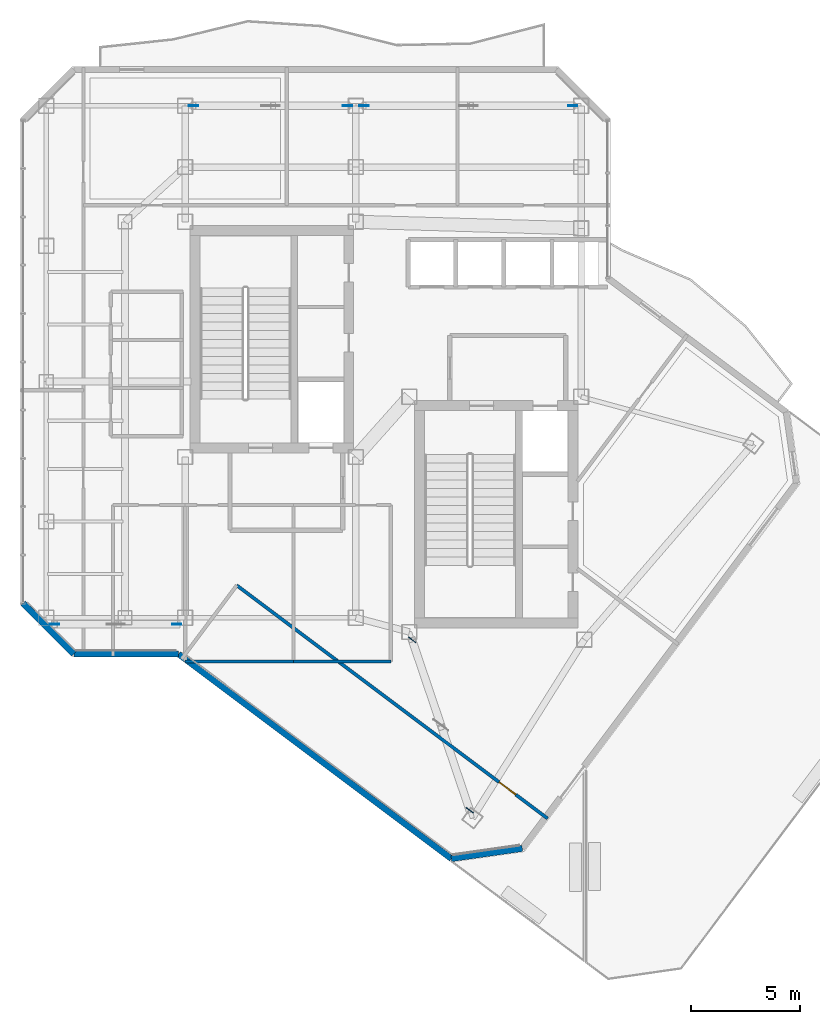
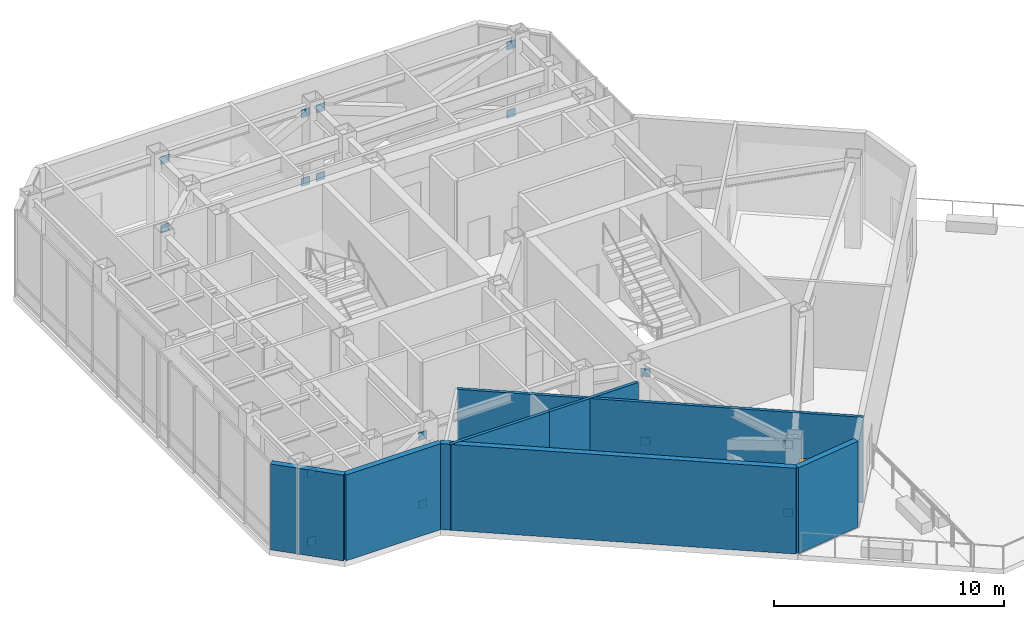
# One storey, part 15 of 21: 16 plates, 7 walls, 1 door, 1 opening.
"""IFC4 building model written with IfcOpenShell, lengths in metres."""

from ifc_helpers import new_model, si_unit, direction, frame, frame_2d, origin, origin_2d, place, context, subcontext, project, spatial, rectangle, extrude, material, layer, layer_set, type_object, element, fill, save


model = new_model("IFC4")

# Units and contexts
model_context = context("Model", 3, precision=1e-05, world=origin(), true_north=direction((0.0, 1.0)))
body_context = subcontext(model_context, "Body", "Model", "MODEL_VIEW")
ifc_project = project(units=[si_unit("LENGTHUNIT", "METRE"), si_unit("AREAUNIT", "SQUARE_METRE"), si_unit("VOLUMEUNIT", "CUBIC_METRE"), si_unit("PLANEANGLEUNIT", "RADIAN"), si_unit("MASSUNIT", "GRAM", prefix="KILO")], contexts=[model_context])

# Site, building, storey
site_placement = place(None, origin())
site = spatial("IfcSite", under=ifc_project, at=site_placement, CompositionType="ELEMENT")
building_placement = place(site_placement, origin())
building = spatial("IfcBuilding", under=site, at=building_placement, Name="Hatsunagi Terrace Concourse", CompositionType="ELEMENT")
storey_placement = place(building_placement, frame((0.0, 0.0, 234.75)))
storey = spatial("IfcBuildingStorey", under=building, at=storey_placement, Name="L62", CompositionType="ELEMENT", Elevation=234.75)

# Plates
ifc_material_1 = material(Name="Steel SN490C", Category="steel")
ifc_layer_1 = layer(ifc_material_1, 0.031982421875)
ifc_layer_set_1 = layer_set([ifc_layer_1], Name="XBraceNodeCapPlate_32")
plate_type = type_object("IfcPlateType", Name="XBraceNodeCapPlate_32", PredefinedType="USERDEFINED", material=ifc_layer_set_1)
for number, where, z_axis, x_axis, name in (
    (1, (19.577880859375, 24.89990234375, 0.25), (0.0, 0.0, 1.0), (1.0, 0.0, 0.0), "Cast-In Core and Node Embed Plate GP-02 EP-BTR-L62-1-AB"),
    (2, (19.577880859375, 24.89990234375, 3.880126953125), (0.0, 0.0, 1.0), (1.0, 0.0, 0.0), "Cast-In Core and Node Embed Plate GP-02 EP-BTR-L62-1-AT"),
    (3, (25.172119140625, 24.89990234375, 0.25), (0.0, 0.0, 1.0), (1.0, 0.0, 0.0), "Cast-In Core and Node Embed Plate GP-02 EP-BTR-L62-1-BB"),
    (4, (25.172119140625, 24.89990234375, 3.880126953125), (0.0, 0.0, 1.0), (1.0, 0.0, 0.0), "Cast-In Core and Node Embed Plate GP-02 EP-BTR-L62-1-BT"),
    (5, (35.9208984375, 24.19189453125, 0.25), (0.0, 0.0, 1.0), (0.799999996291, -0.600000004945, 0.0), "Cast-In Core and Node Embed Plate GP-02 EP-BTR-L62-2-AB"),
    (6, (35.9208984375, 24.19189453125, 3.880126953125), (0.0, 0.0, 1.0), (0.799999996291, -0.600000004945, 0.0), "Cast-In Core and Node Embed Plate GP-02 EP-BTR-L62-2-AT"),
    (7, (38.55908203125, 16.39794921875, 0.25), (0.0, 0.0, 1.0), (0.799999996291, -0.600000004945, 0.0), "Cast-In Core and Node Embed Plate GP-02 EP-BTR-L62-2-BB"),
    (8, (38.55908203125, 16.39794921875, 3.880126953125), (0.0, 0.0, 1.0), (0.799999996291, -0.600000004945, 0.0), "Cast-In Core and Node Embed Plate GP-02 EP-BTR-L62-2-BT"),
    (9, (25.927978515625, 48.60009765625, 0.25), (0.0, 0.0, 1.0), (1.0, 0.0, 0.0), "Cast-In Core and Node Embed Plate GP-02 EP-BTR-L62-3-AB"),
    (10, (25.927978515625, 48.60009765625, 3.880126953125), (0.0, 0.0, 1.0), (1.0, 0.0, 0.0), "Cast-In Core and Node Embed Plate GP-02 EP-BTR-L62-3-AT"),
    (11, (32.971923828125, 48.60009765625, 0.25), (0.0, 0.0, 1.0), (1.0, 0.0, 0.0), "Cast-In Core and Node Embed Plate GP-02 EP-BTR-L62-3-BB"),
    (12, (32.971923828125, 48.60009765625, 3.880126953125), (0.0, 0.0, 1.0), (1.0, 0.0, 0.0), "Cast-In Core and Node Embed Plate GP-02 EP-BTR-L62-3-BT"),
    (13, (33.72802734375, 48.60009765625, 0.25), (0.0, 0.0, 1.0), (1.0, 0.0, 0.0), "Cast-In Core and Node Embed Plate GP-02 EP-BTR-L62-4-AB"),
    (14, (33.72802734375, 48.60009765625, 3.880126953125), (0.0, 0.0, 1.0), (1.0, 0.0, 0.0), "Cast-In Core and Node Embed Plate GP-02 EP-BTR-L62-4-AT"),
    (15, (43.27197265625, 48.60009765625, 0.25), (0.0, 0.0, 1.0), (1.0, 0.0, 0.0), "Cast-In Core and Node Embed Plate GP-02 EP-BTR-L62-4-BB"),
    (16, (43.27197265625, 48.60009765625, 3.880126953125), (0.0, 0.0, 1.0), (1.0, 0.0, 0.0), "Cast-In Core and Node Embed Plate GP-02 EP-BTR-L62-4-BT"),
):
    element("IfcPlate", number, at=place(storey_placement, frame(where, z_axis=z_axis, x_axis=x_axis)), inside=storey, type_object=plate_type, Name=name, ObjectType="GUSSET_PLATE", PredefinedType="USERDEFINED", context=body_context, shape_type="SweptSolid", body=[
        extrude(rectangle(XDim=0.419921875, YDim=0.031982421875, at=origin_2d()), origin(), (0.0, 0.0, 1.0), 0.419921875),
    ])

# Walls
ifc_material_2 = material(Name="Acoustic mineral board", Category="gypsum")
ifc_layer_2 = layer(ifc_material_2, 0.14990234375)
ifc_layer_set_2 = layer_set([ifc_layer_2], Name="PartitionWall_EI60_150")
wall_type_1 = type_object("IfcWallType", Name="PartitionWall_EI60_150", PredefinedType="PARTITIONING", material=ifc_layer_set_2)
wall_1_placement = place(storey_placement, frame((25.550048828125, 23.199951171875, 0.0), z_axis=(0.0, 0.0, 1.0), x_axis=(1.0, 0.0, 0.0)))
element("IfcWall", 17, at=wall_1_placement, inside=storey, type_object=wall_type_1, Name="Interior Partition IW-L62-025", PredefinedType="PARTITIONING", context=body_context, shape_type="SweptSolid", body=[
    extrude(rectangle(XDim=4.949951171875, YDim=0.14990234375, at=frame_2d((2.47509765625, 0.0))), origin(), (0.0, 0.0, 1.0), 4.550048828125),
])
wall_2_placement = place(storey_placement, frame((30.5, 23.199951171875, 0.0), z_axis=(0.0, 0.0, 1.0), x_axis=(1.0, 0.0, 0.0)))
element("IfcWall", 18, at=wall_2_placement, inside=storey, type_object=wall_type_1, Name="Interior Partition IW-L62-029", PredefinedType="PARTITIONING", context=body_context, shape_type="SweptSolid", body=[
    extrude(rectangle(XDim=4.449951171875, YDim=0.14990234375, at=frame_2d((2.22509765625, 0.0))), origin(), (0.0, 0.0, 1.0), 4.550048828125),
])

# Wall, opening, door
wall_3_placement = place(storey_placement, frame((27.909912109375, 26.679931640625, 0.0), z_axis=(0.0, 0.0, 1.0), x_axis=(0.8, -0.6, 0.0)))
wall_3 = element("IfcWall", 19, at=wall_3_placement, inside=storey, type_object=wall_type_1, Name="Interior Partition IW-L62-044", PredefinedType="PARTITIONING", context=body_context, shape_type="SweptSolid", body=[
    extrude(rectangle(XDim=17.760009765625, YDim=0.14990234375, at=frame_2d((8.8798828125, 0.0))), origin(), (0.0, 0.0, 1.0), 4.550048828125),
])
opening_placement = place(wall_3_placement, frame((14.986083984375, 0.0, 0.0)))
opening = element("IfcOpeningElement", 20, at=opening_placement, cuts=wall_3, Name="Opening DR-095", PredefinedType="OPENING", context=body_context, shape_type="SweptSolid", body=[
    extrude(rectangle(XDim=0.949951171875, YDim=2.14990234375, at=frame_2d((0.47509765625, 1.074951171875))), frame((0.0, 0.0849609375, 0.0), z_axis=(0.0, -1.0, 0.0), x_axis=(1.0, 0.0, 0.0)), (0.0, 0.0, 1.0), 0.169921875),
])
ifc_material_3 = material(Name="Hardwood timber", Category="wood")
door_type = type_object("IfcDoorType", Name="InteriorSuiteDoor_EI30_950", OperationType="NOTDEFINED", PredefinedType="DOOR", material=ifc_material_3)
door_placement = place(opening_placement, origin())
door = element("IfcDoor", 21, at=door_placement, inside=storey, type_object=door_type, Name="Research Focus Suite L62-OSWS Door", OperationType="SINGLE_SWING_LEFT", OverallHeight=2.14990234375, OverallWidth=0.949951171875, PredefinedType="DOOR", context=body_context, shape_type="SweptSolid", body=[
    extrude(rectangle(XDim=0.949951171875, YDim=2.14990234375, at=frame_2d((0.47509765625, 1.074951171875))), frame((0.0, 0.02490234375, 0.0), z_axis=(0.0, -1.0, 0.0), x_axis=(1.0, 0.0, 0.0)), (0.0, 0.0, 1.0), 0.050048828125),
])
fill(opening, door)

# Walls
ifc_material_4 = material(Name="Autoclaved Lightweight Concrete and Terracotta Cladding", Category="masonry")
ifc_layer_3 = layer(ifc_material_4, 0.280029296875)
ifc_layer_set_3 = layer_set([ifc_layer_3], Name="TerracottaSpandrelWall_280")
wall_type_2 = type_object("IfcWallType", Name="TerracottaSpandrelWall_280", PredefinedType="STANDARD", material=ifc_layer_set_3)
wall_4_placement = place(storey_placement, frame((40.962890625, 14.64990234375, 0.0), z_axis=(0.0, 0.0, 1.0), x_axis=(-0.989977778067, -0.141223223777, 0.0)))
element("IfcWall", 22, at=wall_4_placement, inside=storey, type_object=wall_type_2, Name="Exterior Spandrel Wall EW-L62-04", PredefinedType="STANDARD", context=body_context, shape_type="SweptSolid", body=[
    extrude(rectangle(XDim=3.27783203125, YDim=0.280029296875, at=frame_2d((1.638916015625, 0.0))), origin(), (0.0, 0.0, 1.0), 4.550048828125),
])
wall_5_placement = place(storey_placement, frame((37.718017578125, 14.18701171875, 0.0), z_axis=(0.0, 0.0, 1.0), x_axis=(-0.800005638109, 0.599992482448, 0.0)))
element("IfcWall", 23, at=wall_5_placement, inside=storey, type_object=wall_type_2, Name="Exterior Spandrel Wall EW-L62-05", PredefinedType="STANDARD", context=body_context, shape_type="SweptSolid", body=[
    extrude(rectangle(XDim=15.588623046875, YDim=0.280029296875, at=frame_2d((7.79443359375, 0.0))), origin(), (0.0, 0.0, 1.0), 4.550048828125),
])
wall_6_placement = place(storey_placement, frame((25.2470703125, 23.5400390625, 0.0), z_axis=(0.0, 0.0, 1.0), x_axis=(-1.0, 0.0, 0.0)))
element("IfcWall", 24, at=wall_6_placement, inside=storey, type_object=wall_type_2, Name="Exterior Spandrel Wall EW-L62-06", PredefinedType="STANDARD", context=body_context, shape_type="SweptSolid", body=[
    extrude(rectangle(XDim=4.7890625, YDim=0.280029296875, at=frame_2d((2.39453125, 0.0))), origin(), (0.0, 0.0, 1.0), 4.550048828125),
])
wall_7_placement = place(storey_placement, frame((20.4580078125, 23.5400390625, 0.0), z_axis=(0.0, 0.0, 1.0), x_axis=(-0.707144017911, 0.707069542501, 0.0)))
element("IfcWall", 25, at=wall_7_placement, inside=storey, type_object=wall_type_2, Name="Exterior Spandrel Wall EW-L62-07", PredefinedType="STANDARD", context=body_context, shape_type="SweptSolid", body=[
    extrude(rectangle(XDim=3.278076171875, YDim=0.280029296875, at=frame_2d((1.63916015625, 0.0))), origin(), (0.0, 0.0, 1.0), 4.550048828125),
])

save(model, "model.ifc")
